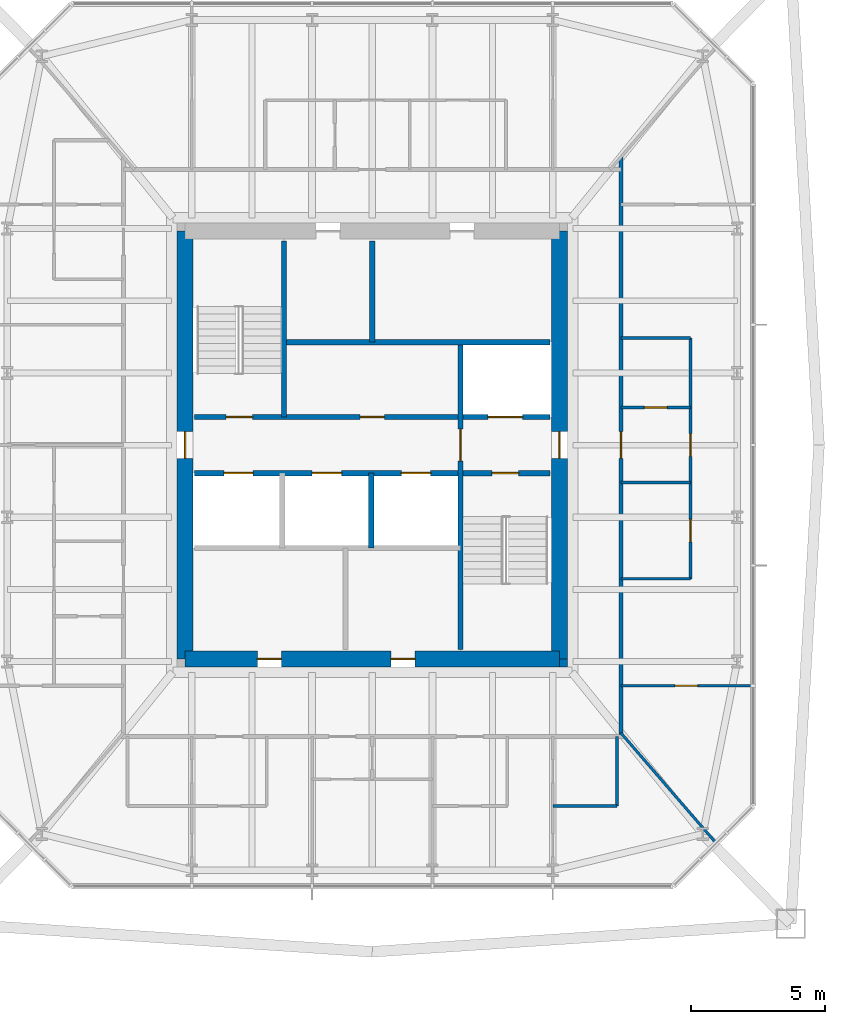
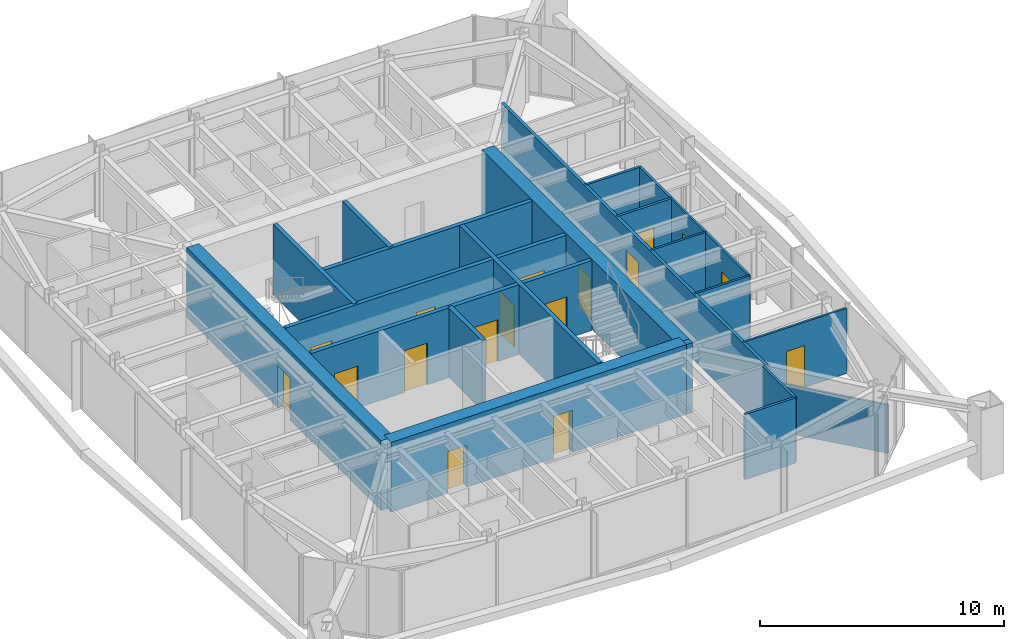
# One storey, part 18 of 25: 21 walls, 17 doors, 17 openings.
"""IFC4 building model written with IfcOpenShell, lengths in metres."""

from ifc_helpers import new_model, si_unit, direction, frame, frame_2d, origin, place, context, subcontext, project, spatial, rectangle, extrude, material, layer, layer_set, type_object, element, fill, save


model = new_model("IFC4")

# Units and contexts
model_context = context("Model", 3, precision=1e-05, world=origin(), true_north=direction((0.0, 1.0)))
body_context = subcontext(model_context, "Body", "Model", "MODEL_VIEW")
ifc_project = project(units=[si_unit("LENGTHUNIT", "METRE"), si_unit("AREAUNIT", "SQUARE_METRE"), si_unit("VOLUMEUNIT", "CUBIC_METRE"), si_unit("PLANEANGLEUNIT", "RADIAN"), si_unit("MASSUNIT", "GRAM", prefix="KILO")], contexts=[model_context])

# Site, building, storey
site_placement = place(None, origin())
site = spatial("IfcSite", under=ifc_project, at=site_placement, CompositionType="ELEMENT")
building_placement = place(site_placement, origin())
building = spatial("IfcBuilding", under=site, at=building_placement, Name="Iwan Alto Co-Living Towers", CompositionType="ELEMENT")
storey_placement = place(building_placement, frame((0.0, 0.0, 87.5)))
storey = spatial("IfcBuildingStorey", under=building, at=storey_placement, Name="L23", CompositionType="ELEMENT", Elevation=87.5)

# Wall, opening, door
ifc_material_1 = material(Name="Gypsum board")
ifc_layer_1 = layer(ifc_material_1, 0.02490234375, Name="Board", Category="Finish")
ifc_material_2 = material(Name="Steel ASTM A1003 ST33H cold-formed studs", Category="steel")
ifc_layer_2 = layer(ifc_material_2, 0.10009765625, Name="Studs", Category="Framing")
ifc_layer_3 = layer(ifc_material_1, 0.02490234375, Name="Board", Category="Finish")
ifc_layer_set_1 = layer_set([ifc_layer_1, ifc_layer_2, ifc_layer_3], Name="CORRIDOR WALL 150")
wall_type_1 = type_object("IfcWallType", Name="CORRIDOR WALL 150", PredefinedType="PARTITIONING", material=ifc_layer_set_1)
wall_1_placement = place(storey_placement, frame((72.300048828125, -10.89990234375, 0.0), z_axis=(0.0, 0.0, 1.0), x_axis=(0.0, 1.0, 0.0)))
wall_1 = element("IfcWall", 1, at=wall_1_placement, inside=storey, type_object=wall_type_1, Name="Partition L23", PredefinedType="PARTITIONING", context=body_context, shape_type="SweptSolid", body=[
    extrude(rectangle(XDim=21.66796875, YDim=0.14990234375, at=frame_2d((10.833984375, 0.0))), origin(), (0.0, 0.0, 1.0), 3.27001953125),
])
opening_1_placement = place(wall_1_placement, frame((10.39990234375, 0.0, 0.0)))
opening_1 = element("IfcOpeningElement", 2, at=opening_1_placement, cuts=wall_1, Name="Opening D3", PredefinedType="OPENING", context=body_context, shape_type="SweptSolid", body=[
    extrude(rectangle(XDim=1.0, YDim=2.10009765625, at=frame_2d((0.5, 1.050048828125))), frame((0.0, 0.0849609375, 0.0), z_axis=(0.0, -1.0, 0.0), x_axis=(1.0, 0.0, 0.0)), (0.0, 0.0, 1.0), 0.169921875),
])
ifc_material_3 = material(Name="Steel frame with timber leaf", Category="steel")
door_type_1 = type_object("IfcDoorType", Name="FLAT ENTRANCE DOOR FD30S 1000X2100", OperationType="SINGLE_SWING_LEFT", PredefinedType="DOOR", material=ifc_material_3)
door_1_placement = place(opening_1_placement, frame((1.0, 0.0, 0.0), z_axis=(0.0, 0.0, 1.0), x_axis=(-1.0, 0.0, 0.0)))
door_1 = element("IfcDoor", 3, at=door_1_placement, inside=storey, type_object=door_type_1, Name="Apartment foyer door L23", OperationType="SINGLE_SWING_RIGHT", OverallHeight=2.10009765625, OverallWidth=1.0, PredefinedType="DOOR", context=body_context, shape_type="SweptSolid", body=[
    extrude(rectangle(XDim=1.0, YDim=2.10009765625, at=frame_2d((0.5, 1.050048828125))), frame((0.0, 0.02490234375, 0.0), z_axis=(0.0, -1.0, 0.0), x_axis=(1.0, 0.0, 0.0)), (0.0, 0.0, 1.0), 0.050048828125),
])
fill(opening_1, door_1)

ifc_layer_4 = layer(ifc_material_1, 0.012451171875, Name="Board", Category="Finish")
ifc_layer_5 = layer(ifc_material_2, 0.074951171875, Name="Studs", Category="Framing")
ifc_layer_6 = layer(ifc_material_1, 0.012451171875, Name="Board", Category="Finish")
ifc_layer_set_2 = layer_set([ifc_layer_4, ifc_layer_5, ifc_layer_6], Name="PARTITION 100")
wall_type_2 = type_object("IfcWallType", Name="PARTITION 100", PredefinedType="PARTITIONING", material=ifc_layer_set_2)
wall_2_placement = place(storey_placement, frame((72.300048828125, -9.0, 0.0), z_axis=(0.0, 0.0, 1.0), x_axis=(1.0, 0.0, 0.0)))
wall_2 = element("IfcWall", 4, at=wall_2_placement, inside=storey, type_object=wall_type_2, Name="Partition L23", PredefinedType="PARTITIONING", context=body_context, shape_type="SweptSolid", body=[
    extrude(rectangle(XDim=4.889892578125, YDim=0.10009765625, at=frame_2d((2.44482421875, 0.0))), origin(), (0.0, 0.0, 1.0), 3.27001953125),
])
opening_2_placement = place(wall_2_placement, frame((2.02001953125, 0.0, 0.0)))
opening_2 = element("IfcOpeningElement", 5, at=opening_2_placement, cuts=wall_2, Name="Opening D2", PredefinedType="OPENING", context=body_context, shape_type="SweptSolid", body=[
    extrude(rectangle(XDim=0.85009765625, YDim=2.10009765625, at=frame_2d((0.425048828125, 1.050048828125))), frame((0.0, 0.06005859375, 0.0), z_axis=(0.0, -1.0, 0.0), x_axis=(1.0, 0.0, 0.0)), (0.0, 0.0, 1.0), 0.1201171875),
])
ifc_material_4 = material(Name="Timber leaf in steel frame", Category="steel")
door_type_2 = type_object("IfcDoorType", Name="ROOM DOOR 850X2100", OperationType="SINGLE_SWING_LEFT", PredefinedType="DOOR", material=ifc_material_4)
door_2_placement = place(opening_2_placement, origin())
door_2 = element("IfcDoor", 6, at=door_2_placement, inside=storey, type_object=door_type_2, Name="Bedroom door L23", OperationType="SINGLE_SWING_LEFT", OverallHeight=2.10009765625, OverallWidth=0.85009765625, PredefinedType="DOOR", context=body_context, shape_type="SweptSolid", body=[
    extrude(rectangle(XDim=0.85009765625, YDim=2.10009765625, at=frame_2d((0.425048828125, 1.050048828125))), frame((0.0, 0.02490234375, 0.0), z_axis=(0.0, -1.0, 0.0), x_axis=(1.0, 0.0, 0.0)), (0.0, 0.0, 1.0), 0.050048828125),
])
fill(opening_2, door_2)

# Walls
for number, where, z_axis, x_axis, name in (
    (7, (72.300048828125, -5.0, 0.0), (0.0, 0.0, 1.0), (1.0, 0.0, 0.0), "Partition L23"),
    (8, (72.300048828125, -1.39990234375, 0.0), (0.0, 0.0, 1.0), (1.0, 0.0, 0.0), "Partition L23"),
):
    element("IfcWall", number, at=place(storey_placement, frame(where, z_axis=z_axis, x_axis=x_axis)), inside=storey, type_object=wall_type_2, Name=name, PredefinedType="PARTITIONING", context=body_context, shape_type="SweptSolid", body=[
        extrude(rectangle(XDim=2.599853515625, YDim=0.10009765625, at=frame_2d((1.2998046875, 0.0))), origin(), (0.0, 0.0, 1.0), 3.27001953125),
    ])

# Wall, openings, doors
wall_3_placement = place(storey_placement, frame((74.89990234375, -5.0, 0.0), z_axis=(0.0, 0.0, 1.0), x_axis=(0.0, 1.0, 0.0)))
wall_3 = element("IfcWall", 9, at=wall_3_placement, inside=storey, type_object=wall_type_2, Name="Partition L23", PredefinedType="PARTITIONING", context=body_context, shape_type="SweptSolid", body=[
    extrude(rectangle(XDim=9.0, YDim=0.10009765625, at=frame_2d((4.5, 0.0))), origin(), (0.0, 0.0, 1.0), 3.27001953125),
])
opening_3_placement = place(wall_3_placement, frame((1.375, 0.0, 0.0)))
opening_3 = element("IfcOpeningElement", 10, at=opening_3_placement, cuts=wall_3, Name="Opening D2", PredefinedType="OPENING", context=body_context, shape_type="SweptSolid", body=[
    extrude(rectangle(XDim=0.85009765625, YDim=2.10009765625, at=frame_2d((0.425048828125, 1.050048828125))), frame((0.0, 0.06005859375, 0.0), z_axis=(0.0, -1.0, 0.0), x_axis=(1.0, 0.0, 0.0)), (0.0, 0.0, 1.0), 0.1201171875),
])
opening_4_placement = place(wall_3_placement, frame((4.574951171875, 0.0, 0.0)))
opening_4 = element("IfcOpeningElement", 11, at=opening_4_placement, cuts=wall_3, Name="Opening D2", PredefinedType="OPENING", context=body_context, shape_type="SweptSolid", body=[
    extrude(rectangle(XDim=0.85009765625, YDim=2.10009765625, at=frame_2d((0.425048828125, 1.050048828125))), frame((0.0, 0.06005859375, 0.0), z_axis=(0.0, -1.0, 0.0), x_axis=(1.0, 0.0, 0.0)), (0.0, 0.0, 1.0), 0.1201171875),
])
door_3_placement = place(opening_3_placement, frame((0.85009765625, 0.0, 0.0), z_axis=(0.0, 0.0, 1.0), x_axis=(-1.0, 0.0, 0.0)))
door_3 = element("IfcDoor", 12, at=door_3_placement, inside=storey, type_object=door_type_2, Name="Kitchen door L23", OperationType="SINGLE_SWING_RIGHT", OverallHeight=2.10009765625, OverallWidth=0.85009765625, PredefinedType="DOOR", context=body_context, shape_type="SweptSolid", body=[
    extrude(rectangle(XDim=0.85009765625, YDim=2.10009765625, at=frame_2d((0.425048828125, 1.050048828125))), frame((0.0, 0.02490234375, 0.0), z_axis=(0.0, -1.0, 0.0), x_axis=(1.0, 0.0, 0.0)), (0.0, 0.0, 1.0), 0.050048828125),
])
fill(opening_3, door_3)
door_4_placement = place(opening_4_placement, frame((0.85009765625, 0.0, 0.0), z_axis=(0.0, 0.0, 1.0), x_axis=(-1.0, 0.0, 0.0)))
door_4 = element("IfcDoor", 13, at=door_4_placement, inside=storey, type_object=door_type_2, Name="Apartment foyer door L23", OperationType="SINGLE_SWING_RIGHT", OverallHeight=2.10009765625, OverallWidth=0.85009765625, PredefinedType="DOOR", context=body_context, shape_type="SweptSolid", body=[
    extrude(rectangle(XDim=0.85009765625, YDim=2.10009765625, at=frame_2d((0.425048828125, 1.050048828125))), frame((0.0, 0.02490234375, 0.0), z_axis=(0.0, -1.0, 0.0), x_axis=(1.0, 0.0, 0.0)), (0.0, 0.0, 1.0), 0.050048828125),
])
fill(opening_4, door_4)

# Wall
wall_4_placement = place(storey_placement, frame((75.821044921875, -14.843994140625, 0.0), z_axis=(0.0, 0.0, 1.0), x_axis=(-0.653713095188, 0.756742485381, 0.0)))
element("IfcWall", 14, at=wall_4_placement, inside=storey, type_object=wall_type_2, Name="Partition L23", PredefinedType="PARTITIONING", context=body_context, shape_type="SweptSolid", body=[
    extrude(rectangle(XDim=5.38623046875, YDim=0.10009765625, at=frame_2d((2.693115234375, 0.0))), origin(), (0.0, 0.0, 1.0), 2.42919921875),
])

# Wall, openings, doors
ifc_material_5 = material(Name="Concrete f'c 70 MPa", Category="concrete")
ifc_layer_7 = layer(ifc_material_5, 0.199951171875)
ifc_layer_set_3 = layer_set([ifc_layer_7], Name="SHAFT WALL 200")
wall_type_3 = type_object("IfcWallType", Name="SHAFT WALL 200", PredefinedType="SOLIDWALL", material=ifc_layer_set_3)
wall_5_placement = place(storey_placement, frame((56.360107421875, -1.050048828125, 0.0), z_axis=(0.0, 0.0, 1.0), x_axis=(1.0, 0.0, 0.0)))
wall_5 = element("IfcWall", 15, at=wall_5_placement, inside=storey, type_object=wall_type_3, Name="Shaft wall L23", PredefinedType="SOLIDWALL", context=body_context, shape_type="SweptSolid", body=[
    extrude(rectangle(XDim=13.27978515625, YDim=0.199951171875, at=frame_2d((6.639892578125, 0.0))), origin(), (0.0, 0.0, 1.0), 3.5),
])
opening_5_placement = place(wall_5_placement, frame((11.110107421875, 0.0, 0.0)))
opening_5 = element("IfcOpeningElement", 16, at=opening_5_placement, cuts=wall_5, Name="Opening D5", PredefinedType="OPENING", context=body_context, shape_type="SweptSolid", body=[
    extrude(rectangle(XDim=1.0, YDim=2.10009765625, at=frame_2d((0.5, 1.050048828125))), frame((0.0, 0.10986328125, 0.0), z_axis=(0.0, -1.0, 0.0), x_axis=(1.0, 0.0, 0.0)), (0.0, 0.0, 1.0), 0.219970703125),
])
opening_6_placement = place(wall_5_placement, frame((1.0869140625, 0.0, 0.0)))
opening_6 = element("IfcOpeningElement", 17, at=opening_6_placement, cuts=wall_5, Name="Opening LD", PredefinedType="OPENING", context=body_context, shape_type="SweptSolid", body=[
    extrude(rectangle(XDim=1.10009765625, YDim=2.10009765625, at=frame_2d((0.550048828125, 1.050048828125))), frame((0.0, 0.10986328125, 0.0), z_axis=(0.0, -1.0, 0.0), x_axis=(1.0, 0.0, 0.0)), (0.0, 0.0, 1.0), 0.219970703125),
])
opening_7_placement = place(wall_5_placement, frame((4.389892578125, 0.0, 0.0)))
opening_7 = element("IfcOpeningElement", 18, at=opening_7_placement, cuts=wall_5, Name="Opening LD", PredefinedType="OPENING", context=body_context, shape_type="SweptSolid", body=[
    extrude(rectangle(XDim=1.10009765625, YDim=2.10009765625, at=frame_2d((0.550048828125, 1.050048828125))), frame((0.0, 0.10986328125, 0.0), z_axis=(0.0, -1.0, 0.0), x_axis=(1.0, 0.0, 0.0)), (0.0, 0.0, 1.0), 0.219970703125),
])
opening_8_placement = place(wall_5_placement, frame((7.72412109375, 0.0, 0.0)))
opening_8 = element("IfcOpeningElement", 19, at=opening_8_placement, cuts=wall_5, Name="Opening LD", PredefinedType="OPENING", context=body_context, shape_type="SweptSolid", body=[
    extrude(rectangle(XDim=1.10009765625, YDim=2.10009765625, at=frame_2d((0.550048828125, 1.050048828125))), frame((0.0, 0.10986328125, 0.0), z_axis=(0.0, -1.0, 0.0), x_axis=(1.0, 0.0, 0.0)), (0.0, 0.0, 1.0), 0.219970703125),
])
ifc_material_6 = material(Name="Steel frame with timber leaf", Category="steel")
door_type_3 = type_object("IfcDoorType", Name="LIFT LANDING DOOR 1100X2100", OperationType="DOUBLE_DOOR_SLIDING", PredefinedType="DOOR", material=ifc_material_6)
door_5_placement = place(opening_6_placement, origin())
door_5 = element("IfcDoor", 20, at=door_5_placement, inside=storey, type_object=door_type_3, Name="Lift P5-1 landing door L23", OperationType="DOUBLE_DOOR_SLIDING", OverallHeight=2.10009765625, OverallWidth=1.10009765625, PredefinedType="DOOR", context=body_context, shape_type="SweptSolid", body=[
    extrude(rectangle(XDim=1.10009765625, YDim=2.10009765625, at=frame_2d((0.550048828125, 1.050048828125))), frame((0.0, 0.02490234375, 0.0), z_axis=(0.0, -1.0, 0.0), x_axis=(1.0, 0.0, 0.0)), (0.0, 0.0, 1.0), 0.050048828125),
])
fill(opening_6, door_5)
door_6_placement = place(opening_7_placement, origin())
door_6 = element("IfcDoor", 21, at=door_6_placement, inside=storey, type_object=door_type_3, Name="Lift P5-2 landing door L23", OperationType="DOUBLE_DOOR_SLIDING", OverallHeight=2.10009765625, OverallWidth=1.10009765625, PredefinedType="DOOR", context=body_context, shape_type="SweptSolid", body=[
    extrude(rectangle(XDim=1.10009765625, YDim=2.10009765625, at=frame_2d((0.550048828125, 1.050048828125))), frame((0.0, 0.02490234375, 0.0), z_axis=(0.0, -1.0, 0.0), x_axis=(1.0, 0.0, 0.0)), (0.0, 0.0, 1.0), 0.050048828125),
])
fill(opening_7, door_6)
door_7_placement = place(opening_8_placement, origin())
door_7 = element("IfcDoor", 22, at=door_7_placement, inside=storey, type_object=door_type_3, Name="Lift P6-3 landing door L23", OperationType="DOUBLE_DOOR_SLIDING", OverallHeight=2.10009765625, OverallWidth=1.10009765625, PredefinedType="DOOR", context=body_context, shape_type="SweptSolid", body=[
    extrude(rectangle(XDim=1.10009765625, YDim=2.10009765625, at=frame_2d((0.550048828125, 1.050048828125))), frame((0.0, 0.02490234375, 0.0), z_axis=(0.0, -1.0, 0.0), x_axis=(1.0, 0.0, 0.0)), (0.0, 0.0, 1.0), 0.050048828125),
])
fill(opening_8, door_7)
ifc_material_7 = material(Name="Steel frame with timber leaf", Category="steel")
door_type_4 = type_object("IfcDoorType", Name="STAIR DOOR FD120S 1000X2100", OperationType="SINGLE_SWING_LEFT", PredefinedType="DOOR", material=ifc_material_7)
door_8_placement = place(opening_5_placement, frame((1.0, 0.0, 0.0), z_axis=(0.0, 0.0, 1.0), x_axis=(-1.0, 0.0, 0.0)))
door_8 = element("IfcDoor", 23, at=door_8_placement, inside=storey, type_object=door_type_4, Name="Stair S2 door L23", OperationType="SINGLE_SWING_RIGHT", OverallHeight=2.10009765625, OverallWidth=1.0, PredefinedType="DOOR", context=body_context, shape_type="SweptSolid", body=[
    extrude(rectangle(XDim=1.0, YDim=2.10009765625, at=frame_2d((0.5, 1.050048828125))), frame((0.0, 0.02490234375, 0.0), z_axis=(0.0, -1.0, 0.0), x_axis=(1.0, 0.0, 0.0)), (0.0, 0.0, 1.0), 0.050048828125),
])
fill(opening_5, door_8)

wall_6_placement = place(storey_placement, frame((56.360107421875, 1.050048828125, 0.0), z_axis=(0.0, 0.0, 1.0), x_axis=(1.0, 0.0, 0.0)))
wall_6 = element("IfcWall", 24, at=wall_6_placement, inside=storey, type_object=wall_type_3, Name="Shaft wall L23", PredefinedType="SOLIDWALL", context=body_context, shape_type="SweptSolid", body=[
    extrude(rectangle(XDim=13.27978515625, YDim=0.199951171875, at=frame_2d((6.639892578125, 0.0))), origin(), (0.0, 0.0, 1.0), 3.5),
])
opening_9_placement = place(wall_6_placement, frame((1.169921875, 0.0, 0.0)))
opening_9 = element("IfcOpeningElement", 25, at=opening_9_placement, cuts=wall_6, Name="Opening D5", PredefinedType="OPENING", context=body_context, shape_type="SweptSolid", body=[
    extrude(rectangle(XDim=1.0, YDim=2.10009765625, at=frame_2d((0.5, 1.050048828125))), frame((0.0, 0.10986328125, 0.0), z_axis=(0.0, -1.0, 0.0), x_axis=(1.0, 0.0, 0.0)), (0.0, 0.0, 1.0), 0.219970703125),
])
opening_10_placement = place(wall_6_placement, frame((6.18994140625, 0.0, 0.0)))
opening_10 = element("IfcOpeningElement", 26, at=opening_10_placement, cuts=wall_6, Name="Opening D8", PredefinedType="OPENING", context=body_context, shape_type="SweptSolid", body=[
    extrude(rectangle(XDim=0.89990234375, YDim=2.10009765625, at=frame_2d((0.449951171875, 1.050048828125))), frame((0.0, 0.10986328125, 0.0), z_axis=(0.0, -1.0, 0.0), x_axis=(1.0, 0.0, 0.0)), (0.0, 0.0, 1.0), 0.219970703125),
])
opening_11_placement = place(wall_6_placement, frame((10.9599609375, 0.0, 0.0)))
opening_11 = element("IfcOpeningElement", 27, at=opening_11_placement, cuts=wall_6, Name="Opening LD2", PredefinedType="OPENING", context=body_context, shape_type="SweptSolid", body=[
    extrude(rectangle(XDim=1.300048828125, YDim=2.10009765625, at=frame_2d((0.64990234375, 1.050048828125))), frame((0.0, 0.10986328125, 0.0), z_axis=(0.0, -1.0, 0.0), x_axis=(1.0, 0.0, 0.0)), (0.0, 0.0, 1.0), 0.219970703125),
])
ifc_material_8 = material(Name="Steel frame with timber leaf", Category="steel")
door_type_5 = type_object("IfcDoorType", Name="LIFT LANDING DOOR 1300X2100", OperationType="SLIDING_TO_LEFT", PredefinedType="DOOR", material=ifc_material_8)
door_9_placement = place(opening_11_placement, origin())
door_9 = element("IfcDoor", 28, at=door_9_placement, inside=storey, type_object=door_type_5, Name="Lift FL2 landing door L23", OperationType="SLIDING_TO_LEFT", OverallHeight=2.10009765625, OverallWidth=1.300048828125, PredefinedType="DOOR", context=body_context, shape_type="SweptSolid", body=[
    extrude(rectangle(XDim=1.300048828125, YDim=2.10009765625, at=frame_2d((0.64990234375, 1.050048828125))), frame((0.0, 0.02490234375, 0.0), z_axis=(0.0, -1.0, 0.0), x_axis=(1.0, 0.0, 0.0)), (0.0, 0.0, 1.0), 0.050048828125),
])
fill(opening_11, door_9)
ifc_material_9 = material(Name="Steel frame with timber leaf", Category="steel")
door_type_6 = type_object("IfcDoorType", Name="RISER DOOR FD120 900X2100", OperationType="SINGLE_SWING_LEFT", PredefinedType="DOOR", material=ifc_material_9)
door_10_placement = place(opening_10_placement, origin())
door_10 = element("IfcDoor", 29, at=door_10_placement, inside=storey, type_object=door_type_6, Name="Riser room door L23", OperationType="SINGLE_SWING_LEFT", OverallHeight=2.10009765625, OverallWidth=0.89990234375, PredefinedType="DOOR", context=body_context, shape_type="SweptSolid", body=[
    extrude(rectangle(XDim=0.89990234375, YDim=2.10009765625, at=frame_2d((0.449951171875, 1.050048828125))), frame((0.0, 0.02490234375, 0.0), z_axis=(0.0, -1.0, 0.0), x_axis=(1.0, 0.0, 0.0)), (0.0, 0.0, 1.0), 0.050048828125),
])
fill(opening_10, door_10)
door_11_placement = place(opening_9_placement, origin())
door_11 = element("IfcDoor", 30, at=door_11_placement, inside=storey, type_object=door_type_4, Name="Stair S1 door L23", OperationType="SINGLE_SWING_RIGHT", OverallHeight=2.10009765625, OverallWidth=1.0, PredefinedType="DOOR", context=body_context, shape_type="SweptSolid", body=[
    extrude(rectangle(XDim=1.0, YDim=2.10009765625, at=frame_2d((0.5, 1.050048828125))), frame((0.0, 0.02490234375, 0.0), z_axis=(0.0, -1.0, 0.0), x_axis=(1.0, 0.0, 0.0)), (0.0, 0.0, 1.0), 0.050048828125),
])
fill(opening_9, door_11)

# Wall
wall_7_placement = place(storey_placement, frame((59.699951171875, 3.85009765625, 0.0), z_axis=(0.0, 0.0, 1.0), x_axis=(1.0, 0.0, 0.0)))
element("IfcWall", 31, at=wall_7_placement, inside=storey, type_object=wall_type_3, Name="Shaft wall L23", PredefinedType="SOLIDWALL", context=body_context, shape_type="SweptSolid", body=[
    extrude(rectangle(XDim=9.93994140625, YDim=0.199951171875, at=frame_2d((4.969970703125, 0.0))), origin(), (0.0, 0.0, 1.0), 3.5),
])

# Wall, opening, door
wall_8_placement = place(storey_placement, frame((66.300048828125, -7.639892578125, 0.0), z_axis=(0.0, 0.0, 1.0), x_axis=(0.0, 1.0, 0.0)))
wall_8 = element("IfcWall", 32, at=wall_8_placement, inside=storey, type_object=wall_type_3, Name="Shaft wall L23", PredefinedType="SOLIDWALL", context=body_context, shape_type="SweptSolid", body=[
    extrude(rectangle(XDim=11.489990234375, YDim=0.199951171875, at=frame_2d((5.7451171875, 0.0))), origin(), (0.0, 0.0, 1.0), 3.5),
])
opening_12_placement = place(wall_8_placement, frame((7.0400390625, 0.0, 0.0)))
opening_12 = element("IfcOpeningElement", 33, at=opening_12_placement, cuts=wall_8, Name="Opening D6", PredefinedType="OPENING", context=body_context, shape_type="SweptSolid", body=[
    extrude(rectangle(XDim=1.199951171875, YDim=2.10009765625, at=frame_2d((0.60009765625, 1.050048828125))), frame((0.0, 0.10986328125, 0.0), z_axis=(0.0, -1.0, 0.0), x_axis=(1.0, 0.0, 0.0)), (0.0, 0.0, 1.0), 0.219970703125),
])
ifc_material_10 = material(Name="Steel frame with timber leaf", Category="steel")
door_type_7 = type_object("IfcDoorType", Name="LOBBY DOOR FD120S 1200X2100", OperationType="SINGLE_SWING_LEFT", PredefinedType="DOOR", material=ifc_material_10)
door_12_placement = place(opening_12_placement, frame((1.199951171875, 0.0, 0.0), z_axis=(0.0, 0.0, 1.0), x_axis=(-1.0, 0.0, 0.0)))
door_12 = element("IfcDoor", 34, at=door_12_placement, inside=storey, type_object=door_type_7, Name="Firefighting lobby door L23", OperationType="SINGLE_SWING_RIGHT", OverallHeight=2.10009765625, OverallWidth=1.199951171875, PredefinedType="DOOR", context=body_context, shape_type="SweptSolid", body=[
    extrude(rectangle(XDim=1.199951171875, YDim=2.10009765625, at=frame_2d((0.60009765625, 1.050048828125))), frame((0.0, 0.02490234375, 0.0), z_axis=(0.0, -1.0, 0.0), x_axis=(1.0, 0.0, 0.0)), (0.0, 0.0, 1.0), 0.050048828125),
])
fill(opening_12, door_12)

# Walls
wall_9_placement = place(storey_placement, frame((63.0, 3.85009765625, 0.0), z_axis=(0.0, 0.0, 1.0), x_axis=(0.0, 1.0, 0.0)))
element("IfcWall", 35, at=wall_9_placement, inside=storey, type_object=wall_type_3, Name="Shaft wall L23", PredefinedType="SOLIDWALL", context=body_context, shape_type="SweptSolid", body=[
    extrude(rectangle(XDim=3.789794921875, YDim=0.199951171875, at=frame_2d((1.89501953125, 0.0))), origin(), (0.0, 0.0, 1.0), 3.5),
])
wall_10_placement = place(storey_placement, frame((62.967041015625, -3.85009765625, 0.0), z_axis=(0.0, 0.0, 1.0), x_axis=(0.0, 1.0, 0.0)))
element("IfcWall", 36, at=wall_10_placement, inside=storey, type_object=wall_type_3, Name="Shaft wall L23", PredefinedType="SOLIDWALL", context=body_context, shape_type="SweptSolid", body=[
    extrude(rectangle(XDim=2.800048828125, YDim=0.199951171875, at=frame_2d((1.39990234375, 0.0))), origin(), (0.0, 0.0, 1.0), 3.5),
])
wall_11_placement = place(storey_placement, frame((59.699951171875, 1.050048828125, 0.0), z_axis=(0.0, 0.0, 1.0), x_axis=(0.0, 1.0, 0.0)))
element("IfcWall", 37, at=wall_11_placement, inside=storey, type_object=wall_type_3, Name="Shaft wall L23", PredefinedType="SOLIDWALL", context=body_context, shape_type="SweptSolid", body=[
    extrude(rectangle(XDim=6.58984375, YDim=0.199951171875, at=frame_2d((3.294921875, 0.0))), origin(), (0.0, 0.0, 1.0), 3.5),
])
ifc_material_11 = material(Name="Concrete f'c 70 MPa", Category="concrete")
ifc_layer_8 = layer(ifc_material_11, 0.300048828125)
ifc_layer_set_4 = layer_set([ifc_layer_8], Name="T2 CORE CORNER FILL 300")
wall_type_4 = type_object("IfcWallType", Name="T2 CORE CORNER FILL 300", PredefinedType="SOLIDWALL", material=ifc_layer_set_4)
wall_12_placement = place(storey_placement, frame((70.0, -8.14990234375, 0.0), z_axis=(0.0, 0.0, 1.0), x_axis=(1.0, 0.0, 0.0)))
element("IfcWall", 38, at=wall_12_placement, inside=storey, type_object=wall_type_4, Name="T2 core corner SE L23", PredefinedType="SOLIDWALL", context=body_context, shape_type="SweptSolid", body=[
    extrude(rectangle(XDim=0.300048828125, YDim=0.300048828125, at=frame_2d((0.14990234375, 0.0))), origin(), (0.0, 0.0, 1.0), 3.5),
])

# Wall, openings, doors
ifc_material_12 = material(Name="Concrete f'c 70 MPa", Category="concrete")
ifc_layer_9 = layer(ifc_material_12, 0.60009765625)
ifc_layer_set_5 = layer_set([ifc_layer_9], Name="T2 CORE WALL 600")
wall_type_5 = type_object("IfcWallType", Name="T2 CORE WALL 600", PredefinedType="SHEAR", material=ifc_layer_set_5)
wall_13_placement = place(storey_placement, frame((56.0, -8.0, 0.0), z_axis=(0.0, 0.0, 1.0), x_axis=(1.0, 0.0, 0.0)))
wall_13 = element("IfcWall", 39, at=wall_13_placement, inside=storey, type_object=wall_type_5, Name="T2 core wall S L23", PredefinedType="SHEAR", context=body_context, shape_type="SweptSolid", body=[
    extrude(rectangle(XDim=14.0, YDim=0.60009765625, at=frame_2d((7.0, 0.0))), origin(), (0.0, 0.0, 1.0), 3.5),
])
opening_13_placement = place(wall_13_placement, frame((2.699951171875, 0.0, 0.0)))
opening_13 = element("IfcOpeningElement", 40, at=opening_13_placement, cuts=wall_13, Name="Opening D8", PredefinedType="OPENING", context=body_context, shape_type="SweptSolid", body=[
    extrude(rectangle(XDim=0.89990234375, YDim=2.10009765625, at=frame_2d((0.449951171875, 1.050048828125))), frame((0.0, 0.31005859375, 0.0), z_axis=(0.0, -1.0, 0.0), x_axis=(1.0, 0.0, 0.0)), (0.0, 0.0, 1.0), 0.6201171875),
])
opening_14_placement = place(wall_13_placement, frame((7.699951171875, 0.0, 0.0)))
opening_14 = element("IfcOpeningElement", 41, at=opening_14_placement, cuts=wall_13, Name="Opening D8", PredefinedType="OPENING", context=body_context, shape_type="SweptSolid", body=[
    extrude(rectangle(XDim=0.89990234375, YDim=2.10009765625, at=frame_2d((0.449951171875, 1.050048828125))), frame((0.0, 0.31005859375, 0.0), z_axis=(0.0, -1.0, 0.0), x_axis=(1.0, 0.0, 0.0)), (0.0, 0.0, 1.0), 0.6201171875),
])
door_13_placement = place(opening_13_placement, origin())
door_13 = element("IfcDoor", 42, at=door_13_placement, inside=storey, type_object=door_type_6, Name="Refuse room core door L23", OperationType="SINGLE_SWING_LEFT", OverallHeight=2.10009765625, OverallWidth=0.89990234375, PredefinedType="DOOR", context=body_context, shape_type="SweptSolid", body=[
    extrude(rectangle(XDim=0.89990234375, YDim=2.10009765625, at=frame_2d((0.449951171875, 1.050048828125))), frame((0.0, 0.02490234375, 0.0), z_axis=(0.0, -1.0, 0.0), x_axis=(1.0, 0.0, 0.0)), (0.0, 0.0, 1.0), 0.050048828125),
])
fill(opening_13, door_13)
door_14_placement = place(opening_14_placement, origin())
door_14 = element("IfcDoor", 43, at=door_14_placement, inside=storey, type_object=door_type_6, Name="Telecom riser core door L23", OperationType="SINGLE_SWING_LEFT", OverallHeight=2.10009765625, OverallWidth=0.89990234375, PredefinedType="DOOR", context=body_context, shape_type="SweptSolid", body=[
    extrude(rectangle(XDim=0.89990234375, YDim=2.10009765625, at=frame_2d((0.449951171875, 1.050048828125))), frame((0.0, 0.02490234375, 0.0), z_axis=(0.0, -1.0, 0.0), x_axis=(1.0, 0.0, 0.0)), (0.0, 0.0, 1.0), 0.050048828125),
])
fill(opening_14, door_14)

# Wall, opening, door
wall_14_placement = place(storey_placement, frame((70.0, -8.0, 0.0), z_axis=(0.0, 0.0, 1.0), x_axis=(0.0, 1.0, 0.0)))
wall_14 = element("IfcWall", 44, at=wall_14_placement, inside=storey, type_object=wall_type_5, Name="T2 core wall E L23", PredefinedType="SHEAR", context=body_context, shape_type="SweptSolid", body=[
    extrude(rectangle(XDim=16.0, YDim=0.60009765625, at=frame_2d((8.0, 0.0))), origin(), (0.0, 0.0, 1.0), 3.5),
])
opening_15_placement = place(wall_14_placement, frame((7.5, 0.0, 0.0)))
opening_15 = element("IfcOpeningElement", 45, at=opening_15_placement, cuts=wall_14, Name="Opening D7", PredefinedType="OPENING", context=body_context, shape_type="SweptSolid", body=[
    extrude(rectangle(XDim=1.0, YDim=2.10009765625, at=frame_2d((0.5, 1.050048828125))), frame((0.0, 0.31005859375, 0.0), z_axis=(0.0, -1.0, 0.0), x_axis=(1.0, 0.0, 0.0)), (0.0, 0.0, 1.0), 0.6201171875),
])
ifc_material_13 = material(Name="Steel frame with timber leaf", Category="steel")
door_type_8 = type_object("IfcDoorType", Name="CORE DOOR FD120S 1000X2100", OperationType="SINGLE_SWING_LEFT", PredefinedType="DOOR", material=ifc_material_13)
door_15_placement = place(opening_15_placement, origin())
door_15 = element("IfcDoor", 46, at=door_15_placement, inside=storey, type_object=door_type_8, Name="Firefighting lobby core door L23", OperationType="SINGLE_SWING_LEFT", OverallHeight=2.10009765625, OverallWidth=1.0, PredefinedType="DOOR", context=body_context, shape_type="SweptSolid", body=[
    extrude(rectangle(XDim=1.0, YDim=2.10009765625, at=frame_2d((0.5, 1.050048828125))), frame((0.0, 0.02490234375, 0.0), z_axis=(0.0, -1.0, 0.0), x_axis=(1.0, 0.0, 0.0)), (0.0, 0.0, 1.0), 0.050048828125),
])
fill(opening_15, door_15)

wall_15_placement = place(storey_placement, frame((56.0, 8.0, 0.0), z_axis=(0.0, 0.0, 1.0), x_axis=(0.0, -1.0, 0.0)))
wall_15 = element("IfcWall", 47, at=wall_15_placement, inside=storey, type_object=wall_type_5, Name="T2 core wall W L23", PredefinedType="SHEAR", context=body_context, shape_type="SweptSolid", body=[
    extrude(rectangle(XDim=16.0, YDim=0.60009765625, at=frame_2d((8.0, 0.0))), origin(), (0.0, 0.0, 1.0), 3.5),
])
opening_16_placement = place(wall_15_placement, frame((7.5, 0.0, 0.0)))
opening_16 = element("IfcOpeningElement", 48, at=opening_16_placement, cuts=wall_15, Name="Opening D7", PredefinedType="OPENING", context=body_context, shape_type="SweptSolid", body=[
    extrude(rectangle(XDim=1.0, YDim=2.10009765625, at=frame_2d((0.5, 1.050048828125))), frame((0.0, 0.31005859375, 0.0), z_axis=(0.0, -1.0, 0.0), x_axis=(1.0, 0.0, 0.0)), (0.0, 0.0, 1.0), 0.6201171875),
])
door_16_placement = place(opening_16_placement, origin())
door_16 = element("IfcDoor", 49, at=door_16_placement, inside=storey, type_object=door_type_8, Name="Lift lobby core door L23", OperationType="SINGLE_SWING_RIGHT", OverallHeight=2.10009765625, OverallWidth=1.0, PredefinedType="DOOR", context=body_context, shape_type="SweptSolid", body=[
    extrude(rectangle(XDim=1.0, YDim=2.10009765625, at=frame_2d((0.5, 1.050048828125))), frame((0.0, 0.02490234375, 0.0), z_axis=(0.0, -1.0, 0.0), x_axis=(1.0, 0.0, 0.0)), (0.0, 0.0, 1.0), 0.050048828125),
])
fill(opening_16, door_16)

# Wall
ifc_material_14 = material(Name="Cement board")
ifc_layer_10 = layer(ifc_material_14, 0.012451171875, Name="Board", Category="Finish")
ifc_layer_11 = layer(ifc_material_2, 0.094970703125, Name="Studs", Category="Framing")
ifc_layer_12 = layer(ifc_material_14, 0.012451171875, Name="Board", Category="Finish")
ifc_layer_set_6 = layer_set([ifc_layer_10, ifc_layer_11, ifc_layer_12], Name="WET AREA PARTITION 120")
wall_type_6 = type_object("IfcWallType", Name="WET AREA PARTITION 120", PredefinedType="PARTITIONING", material=ifc_layer_set_6)
wall_16_placement = place(storey_placement, frame((69.75, -13.5, 0.0), z_axis=(0.0, 0.0, 1.0), x_axis=(1.0, 0.0, 0.0)))
element("IfcWall", 50, at=wall_16_placement, inside=storey, type_object=wall_type_6, Name="Partition L23", PredefinedType="PARTITIONING", context=body_context, shape_type="SweptSolid", body=[
    extrude(rectangle(XDim=2.39990234375, YDim=0.1201171875, at=frame_2d((1.199951171875, 0.0))), origin(), (0.0, 0.0, 1.0), 3.27001953125),
])

# Wall, opening, door
wall_17_placement = place(storey_placement, frame((72.300048828125, 1.39990234375, 0.0), z_axis=(0.0, 0.0, 1.0), x_axis=(1.0, 0.0, 0.0)))
wall_17 = element("IfcWall", 51, at=wall_17_placement, inside=storey, type_object=wall_type_6, Name="Partition L23", PredefinedType="PARTITIONING", context=body_context, shape_type="SweptSolid", body=[
    extrude(rectangle(XDim=2.599853515625, YDim=0.1201171875, at=frame_2d((1.2998046875, 0.0))), origin(), (0.0, 0.0, 1.0), 3.27001953125),
])
opening_17_placement = place(wall_17_placement, frame((0.875, 0.0, 0.0)))
opening_17 = element("IfcOpeningElement", 52, at=opening_17_placement, cuts=wall_17, Name="Opening D2", PredefinedType="OPENING", context=body_context, shape_type="SweptSolid", body=[
    extrude(rectangle(XDim=0.85009765625, YDim=2.10009765625, at=frame_2d((0.425048828125, 1.050048828125))), frame((0.0, 0.070068359375, 0.0), z_axis=(0.0, -1.0, 0.0), x_axis=(1.0, 0.0, 0.0)), (0.0, 0.0, 1.0), 0.14013671875),
])
door_17_placement = place(opening_17_placement, origin())
door_17 = element("IfcDoor", 53, at=door_17_placement, inside=storey, type_object=door_type_2, Name="Bathroom door L23", OperationType="SINGLE_SWING_LEFT", OverallHeight=2.10009765625, OverallWidth=0.85009765625, PredefinedType="DOOR", context=body_context, shape_type="SweptSolid", body=[
    extrude(rectangle(XDim=0.85009765625, YDim=2.10009765625, at=frame_2d((0.425048828125, 1.050048828125))), frame((0.0, 0.02490234375, 0.0), z_axis=(0.0, -1.0, 0.0), x_axis=(1.0, 0.0, 0.0)), (0.0, 0.0, 1.0), 0.050048828125),
])
fill(opening_17, door_17)

# Walls
wall_18_placement = place(storey_placement, frame((72.300048828125, 4.0, 0.0), z_axis=(0.0, 0.0, 1.0), x_axis=(1.0, 0.0, 0.0)))
element("IfcWall", 54, at=wall_18_placement, inside=storey, type_object=wall_type_6, Name="Partition L23", PredefinedType="PARTITIONING", context=body_context, shape_type="SweptSolid", body=[
    extrude(rectangle(XDim=2.599853515625, YDim=0.1201171875, at=frame_2d((1.2998046875, 0.0))), origin(), (0.0, 0.0, 1.0), 3.27001953125),
])
wall_19_placement = place(storey_placement, frame((72.14990234375, -13.5, 0.0), z_axis=(0.0, 0.0, 1.0), x_axis=(0.0, 1.0, 0.0)))
element("IfcWall", 55, at=wall_19_placement, inside=storey, type_object=wall_type_6, Name="Partition L23", PredefinedType="PARTITIONING", context=body_context, shape_type="SweptSolid", body=[
    extrude(rectangle(XDim=2.60009765625, YDim=0.1201171875, at=frame_2d((1.300048828125, 0.0))), origin(), (0.0, 0.0, 1.0), 3.27001953125),
])

save(model, "model.ifc")
